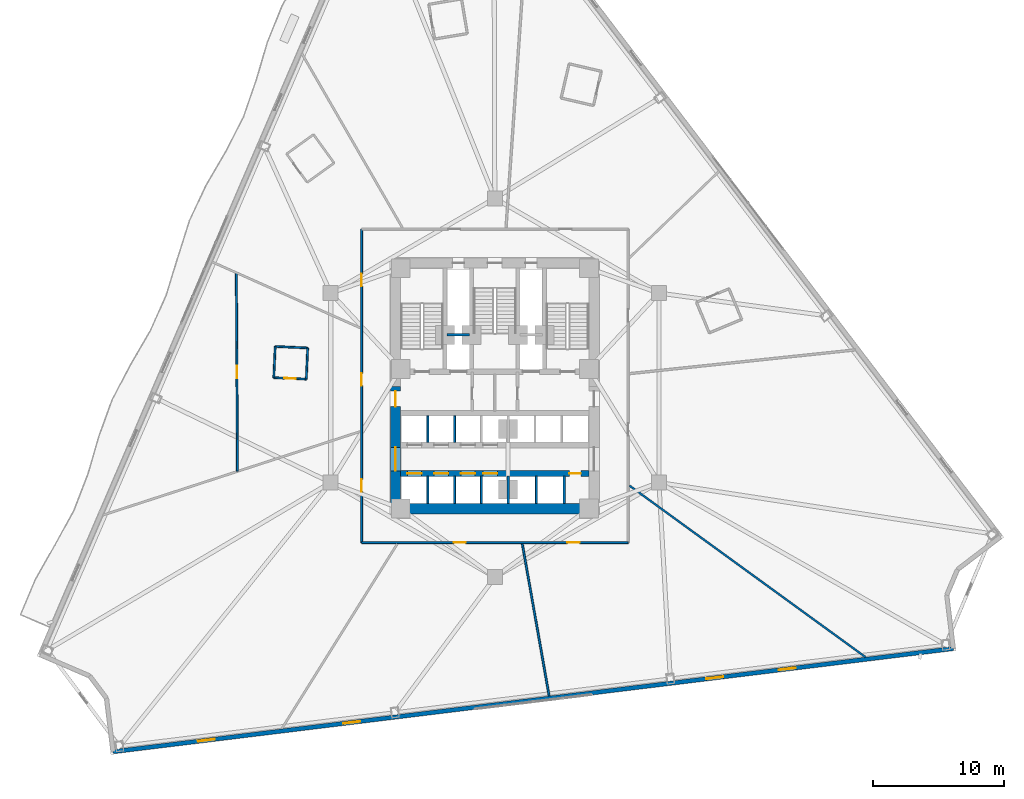
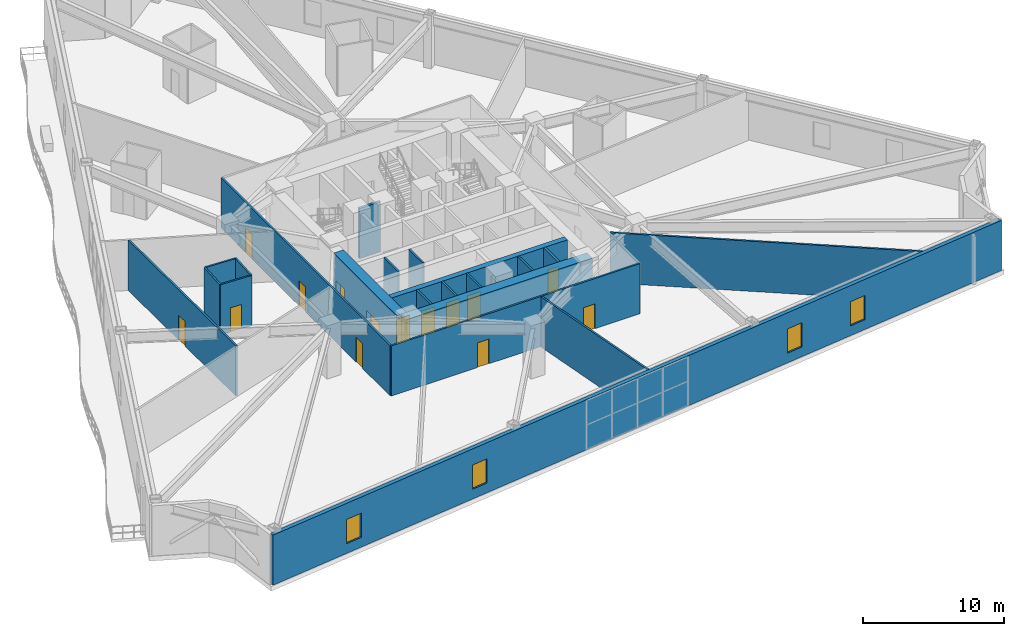
# One storey, part 12 of 21: 22 walls, 14 doors, 4 windows, 18 openings.
"""IFC4 building model written with IfcOpenShell, lengths in metres."""

from ifc_helpers import new_model, si_unit, direction, frame, frame_2d, origin, place, context, subcontext, project, spatial, rectangle, extrude, material, layer, layer_set, type_object, element, fill, save


model = new_model("IFC4")

# Units and contexts
model_context = context("Model", 3, precision=1e-05, world=origin(), true_north=direction((0.0, 1.0)))
body_context = subcontext(model_context, "Body", "Model", "MODEL_VIEW")
ifc_project = project(units=[si_unit("LENGTHUNIT", "METRE"), si_unit("AREAUNIT", "SQUARE_METRE"), si_unit("VOLUMEUNIT", "CUBIC_METRE"), si_unit("PLANEANGLEUNIT", "RADIAN"), si_unit("MASSUNIT", "GRAM", prefix="KILO")], contexts=[model_context])

# Site, building, storey
site_placement = place(None, origin())
site = spatial("IfcSite", under=ifc_project, at=site_placement, CompositionType="ELEMENT")
building_placement = place(site_placement, origin())
building = spatial("IfcBuilding", under=site, at=building_placement, Name="Apsidion Concourse Tower", CompositionType="ELEMENT")
storey_placement = place(building_placement, frame((0.0, 0.0, 62.39990234375)))
storey = spatial("IfcBuildingStorey", under=building, at=storey_placement, Name="L13", CompositionType="ELEMENT", Elevation=62.39990234375)

# Wall, openings, windows
ifc_material_1 = material(Name="Precast concrete C40/50", Category="concrete")
ifc_layer_1 = layer(ifc_material_1, 0.320068359375)
ifc_layer_set_1 = layer_set([ifc_layer_1], Name="Precast concrete C40/50")
wall_type_1 = type_object("IfcWallType", Name="WL-EXT-320", PredefinedType="STANDARD", material=ifc_layer_set_1)
wall_1_placement = place(storey_placement, frame((35.0908203125, -19.961181640625, 0.0), z_axis=(0.0, 0.0, 1.0), x_axis=(-0.992546286146, -0.121868247946, 0.0)))
wall_1 = element("IfcWall", 1, at=wall_1_placement, inside=storey, type_object=wall_type_1, Name="L13 Precast Stone Facade Wall 05", PredefinedType="STANDARD", context=body_context, shape_type="SweptSolid", body=[
    extrude(rectangle(XDim=64.793212890625, YDim=0.320068359375, at=frame_2d((32.396484375, 0.0))), origin(), (0.0, 0.0, 1.0), 4.35009765625),
])
opening_1_placement = place(wall_1_placement, frame((12.146728515625, 0.0, 0.85009765625)))
opening_1 = element("IfcOpeningElement", 2, at=opening_1_placement, cuts=wall_1, Name="Opening WN-03", PredefinedType="OPENING", context=body_context, shape_type="SweptSolid", body=[
    extrude(rectangle(XDim=1.300048828125, YDim=2.10009765625, at=frame_2d((0.64990234375, 1.050048828125))), frame((0.0, 0.169921875, 0.0), z_axis=(0.0, -1.0, 0.0), x_axis=(1.0, 0.0, 0.0)), (0.0, 0.0, 1.0), 0.340087890625),
])
opening_2_placement = place(wall_1_placement, frame((17.74658203125, 0.0, 0.85009765625)))
opening_2 = element("IfcOpeningElement", 3, at=opening_2_placement, cuts=wall_1, Name="Opening WN-03", PredefinedType="OPENING", context=body_context, shape_type="SweptSolid", body=[
    extrude(rectangle(XDim=1.300048828125, YDim=2.10009765625, at=frame_2d((0.64990234375, 1.050048828125))), frame((0.0, 0.169921875, 0.0), z_axis=(0.0, -1.0, 0.0), x_axis=(1.0, 0.0, 0.0)), (0.0, 0.0, 1.0), 0.340087890625),
])
opening_3_placement = place(wall_1_placement, frame((45.74658203125, 0.0, 0.85009765625)))
opening_3 = element("IfcOpeningElement", 4, at=opening_3_placement, cuts=wall_1, Name="Opening WN-03", PredefinedType="OPENING", context=body_context, shape_type="SweptSolid", body=[
    extrude(rectangle(XDim=1.300048828125, YDim=2.10009765625, at=frame_2d((0.64990234375, 1.050048828125))), frame((0.0, 0.169921875, 0.0), z_axis=(0.0, -1.0, 0.0), x_axis=(1.0, 0.0, 0.0)), (0.0, 0.0, 1.0), 0.340087890625),
])
opening_4_placement = place(wall_1_placement, frame((56.94677734375, 0.0, 0.85009765625)))
opening_4 = element("IfcOpeningElement", 5, at=opening_4_placement, cuts=wall_1, Name="Opening WN-03", PredefinedType="OPENING", context=body_context, shape_type="SweptSolid", body=[
    extrude(rectangle(XDim=1.300048828125, YDim=2.10009765625, at=frame_2d((0.64990234375, 1.050048828125))), frame((0.0, 0.169921875, 0.0), z_axis=(0.0, -1.0, 0.0), x_axis=(1.0, 0.0, 0.0)), (0.0, 0.0, 1.0), 0.340087890625),
])
ifc_material_2 = material(Name="Insulated laminated low-E glass", Category="glass")
window_type = type_object("IfcWindowType", Name="WN-HTL-1322", PartitioningType="SINGLE_PANEL", PredefinedType="WINDOW", material=ifc_material_2)
window_1_placement = place(opening_1_placement, origin())
window_1 = element("IfcWindow", 6, at=window_1_placement, inside=storey, type_object=window_type, Name="L13 Punched Facade Window 5-02", OverallHeight=2.10009765625, OverallWidth=1.300048828125, PartitioningType="SINGLE_PANEL", PredefinedType="WINDOW", context=body_context, shape_type="SweptSolid", body=[
    extrude(rectangle(XDim=1.300048828125, YDim=2.10009765625, at=frame_2d((0.64990234375, 1.050048828125))), frame((0.0, 0.030029296875, 0.0), z_axis=(0.0, -1.0, 0.0), x_axis=(1.0, 0.0, 0.0)), (0.0, 0.0, 1.0), 0.06005859375),
])
fill(opening_1, window_1)
window_2_placement = place(opening_2_placement, origin())
window_2 = element("IfcWindow", 7, at=window_2_placement, inside=storey, type_object=window_type, Name="L13 Punched Facade Window 5-03", OverallHeight=2.10009765625, OverallWidth=1.300048828125, PartitioningType="SINGLE_PANEL", PredefinedType="WINDOW", context=body_context, shape_type="SweptSolid", body=[
    extrude(rectangle(XDim=1.300048828125, YDim=2.10009765625, at=frame_2d((0.64990234375, 1.050048828125))), frame((0.0, 0.030029296875, 0.0), z_axis=(0.0, -1.0, 0.0), x_axis=(1.0, 0.0, 0.0)), (0.0, 0.0, 1.0), 0.06005859375),
])
fill(opening_2, window_2)
window_3_placement = place(opening_3_placement, origin())
window_3 = element("IfcWindow", 8, at=window_3_placement, inside=storey, type_object=window_type, Name="L13 Punched Facade Window 5-08", OverallHeight=2.10009765625, OverallWidth=1.300048828125, PartitioningType="SINGLE_PANEL", PredefinedType="WINDOW", context=body_context, shape_type="SweptSolid", body=[
    extrude(rectangle(XDim=1.300048828125, YDim=2.10009765625, at=frame_2d((0.64990234375, 1.050048828125))), frame((0.0, 0.030029296875, 0.0), z_axis=(0.0, -1.0, 0.0), x_axis=(1.0, 0.0, 0.0)), (0.0, 0.0, 1.0), 0.06005859375),
])
fill(opening_3, window_3)
window_4_placement = place(opening_4_placement, origin())
window_4 = element("IfcWindow", 9, at=window_4_placement, inside=storey, type_object=window_type, Name="L13 Punched Facade Window 5-10", OverallHeight=2.10009765625, OverallWidth=1.300048828125, PartitioningType="SINGLE_PANEL", PredefinedType="WINDOW", context=body_context, shape_type="SweptSolid", body=[
    extrude(rectangle(XDim=1.300048828125, YDim=2.10009765625, at=frame_2d((0.64990234375, 1.050048828125))), frame((0.0, 0.030029296875, 0.0), z_axis=(0.0, -1.0, 0.0), x_axis=(1.0, 0.0, 0.0)), (0.0, 0.0, 1.0), 0.06005859375),
])
fill(opening_4, window_4)

# Walls
ifc_material_3 = material(Name="Gypsum plasterboard partition")
ifc_layer_2 = layer(ifc_material_3, 0.139892578125)
ifc_layer_set_2 = layer_set([ifc_layer_2], Name="Gypsum plasterboard partition")
wall_type_2 = type_object("IfcWallType", Name="WL-INT-PAR-140", PredefinedType="PARTITIONING", material=ifc_layer_set_2)
wall_2_placement = place(storey_placement, frame((-14.322509765625, 3.048095703125, 0.0), z_axis=(0.0, 0.0, 1.0), x_axis=(-0.998968944515, 0.045398765343, 0.0)))
element("IfcWall", 10, at=wall_2_placement, inside=storey, type_object=wall_type_2, Name="L13 Interior Partition WL-L13-POD-HKAWC-S1", PredefinedType="PARTITIONING", context=body_context, shape_type="SweptSolid", body=[
    extrude(rectangle(XDim=2.489990234375, YDim=0.139892578125, at=frame_2d((1.2451171875, 0.0))), origin(), (0.0, 0.0, 1.0), 4.35009765625),
])
wall_3_placement = place(storey_placement, frame((-16.809814453125, 3.1611328125, 0.0), z_axis=(0.0, 0.0, 1.0), x_axis=(-0.045356688821, -0.998970855821, 0.0)))
element("IfcWall", 11, at=wall_3_placement, inside=storey, type_object=wall_type_2, Name="L13 Interior Partition WL-L13-POD-HKAWC-S2", PredefinedType="PARTITIONING", context=body_context, shape_type="SweptSolid", body=[
    extrude(rectangle(XDim=2.389892578125, YDim=0.139892578125, at=frame_2d((1.19482421875, 0.0))), origin(), (0.0, 0.0, 1.0), 4.35009765625),
])

# Wall, opening, door
wall_4_placement = place(storey_placement, frame((-16.918212890625, 0.773681640625, 0.0), z_axis=(0.0, 0.0, 1.0), x_axis=(0.998968944515, -0.045398765343, 0.0)))
wall_4 = element("IfcWall", 12, at=wall_4_placement, inside=storey, type_object=wall_type_2, Name="L13 Interior Partition WL-L13-POD-HKAWC-S3", PredefinedType="PARTITIONING", context=body_context, shape_type="SweptSolid", body=[
    extrude(rectangle(XDim=2.489990234375, YDim=0.139892578125, at=frame_2d((1.2451171875, 0.0))), origin(), (0.0, 0.0, 1.0), 4.35009765625),
])
opening_5_placement = place(wall_4_placement, frame((0.804931640625, 0.0, 0.0)))
opening_5 = element("IfcOpeningElement", 13, at=opening_5_placement, cuts=wall_4, Name="Opening D-03L", PredefinedType="OPENING", context=body_context, shape_type="SweptSolid", body=[
    extrude(rectangle(XDim=0.8798828125, YDim=2.10009765625, at=frame_2d((0.43994140625, 1.050048828125))), frame((0.0, 0.080078125, 0.0), z_axis=(0.0, -1.0, 0.0), x_axis=(1.0, 0.0, 0.0)), (0.0, 0.0, 1.0), 0.159912109375),
])
ifc_material_4 = material(Name="Anodised aluminium EN AW-6063 T6", Category="aluminium")
door_type_1 = type_object("IfcDoorType", Name="DR-INT-D03L", OperationType="SINGLE_SWING_LEFT", PredefinedType="DOOR", material=ifc_material_4)
door_1_placement = place(opening_5_placement, origin())
door_1 = element("IfcDoor", 14, at=door_1_placement, inside=storey, type_object=door_type_1, Name="L13 Hotel Accessible WC Door HKAWC", OperationType="SINGLE_SWING_LEFT", OverallHeight=2.10009765625, OverallWidth=0.8798828125, PredefinedType="DOOR", context=body_context, shape_type="SweptSolid", body=[
    extrude(rectangle(XDim=0.8798828125, YDim=2.10009765625, at=frame_2d((0.43994140625, 1.050048828125))), frame((0.0, 0.02490234375, 0.0), z_axis=(0.0, -1.0, 0.0), x_axis=(1.0, 0.0, 0.0)), (0.0, 0.0, 1.0), 0.050048828125),
])
fill(opening_5, door_1)

# Walls
wall_5_placement = place(storey_placement, frame((-14.430908203125, 0.66064453125, 0.0), z_axis=(0.0, 0.0, 1.0), x_axis=(0.045356688821, 0.998970855821, 0.0)))
element("IfcWall", 15, at=wall_5_placement, inside=storey, type_object=wall_type_2, Name="L13 Interior Partition WL-L13-POD-HKAWC-S4", PredefinedType="PARTITIONING", context=body_context, shape_type="SweptSolid", body=[
    extrude(rectangle(XDim=2.389892578125, YDim=0.139892578125, at=frame_2d((1.19482421875, 0.0))), origin(), (0.0, 0.0, 1.0), 4.35009765625),
])
ifc_layer_3 = layer(ifc_material_3, 0.14990234375)
ifc_layer_set_3 = layer_set([ifc_layer_3], Name="Gypsum plasterboard partition")
wall_type_3 = type_object("IfcWallType", Name="WL-INT-PAR-150", PredefinedType="PARTITIONING", material=ifc_layer_set_3)
for number, where, z_axis, x_axis, name in (
    (16, (-5.125, -4.179931640625, 0.0), (0.0, 0.0, 1.0), (0.0, 1.0, 0.0), "L13 Interior Partition WL-L13-B1DIV-1"),
    (17, (-3.074951171875, -4.179931640625, 0.0), (0.0, 0.0, 1.0), (0.0, 1.0, 0.0), "L13 Interior Partition WL-L13-B1DIV-2"),
):
    element("IfcWall", number, at=place(storey_placement, frame(where, z_axis=z_axis, x_axis=x_axis)), inside=storey, type_object=wall_type_3, Name=name, PredefinedType="PARTITIONING", context=body_context, shape_type="SweptSolid", body=[
        extrude(rectangle(XDim=2.030029296875, YDim=0.14990234375, at=frame_2d((1.01513671875, 0.0))), origin(), (0.0, 0.0, 1.0), 4.35009765625),
    ])
for number, where, z_axis, x_axis, name in (
    (18, (-5.125, -8.85009765625, 0.0), (0.0, 0.0, 1.0), (0.0, 1.0, 0.0), "L13 Interior Partition WL-L13-B2DIV-1"),
    (19, (-3.074951171875, -8.85009765625, 0.0), (0.0, 0.0, 1.0), (0.0, 1.0, 0.0), "L13 Interior Partition WL-L13-B2DIV-2"),
    (20, (-1.02490234375, -8.85009765625, 0.0), (0.0, 0.0, 1.0), (0.0, 1.0, 0.0), "L13 Interior Partition WL-L13-B2DIV-3"),
    (21, (3.175048828125, -8.85009765625, 0.0), (0.0, 0.0, 1.0), (0.0, 1.0, 0.0), "L13 Interior Partition WL-L13-SHDIV-1"),
):
    element("IfcWall", number, at=place(storey_placement, frame(where, z_axis=z_axis, x_axis=x_axis)), inside=storey, type_object=wall_type_3, Name=name, PredefinedType="PARTITIONING", context=body_context, shape_type="SweptSolid", body=[
        extrude(rectangle(XDim=2.080078125, YDim=0.14990234375, at=frame_2d((1.0400390625, 0.0))), origin(), (0.0, 0.0, 1.0), 4.35009765625),
    ])

# Wall, openings, doors
wall_6_placement = place(storey_placement, frame((10.199951171875, -11.85009765625, 0.0), z_axis=(0.0, 0.0, 1.0), x_axis=(-1.0, 0.0, 0.0)))
wall_6 = element("IfcWall", 22, at=wall_6_placement, inside=storey, type_object=wall_type_3, Name="L13 Interior Partition WL-L13-CORR-03", PredefinedType="PARTITIONING", context=body_context, shape_type="SweptSolid", body=[
    extrude(rectangle(XDim=20.39990234375, YDim=0.14990234375, at=frame_2d((10.199951171875, 0.0))), origin(), (0.0, 0.0, 1.0), 4.35009765625),
])
opening_6_placement = place(wall_6_placement, frame((12.405517578125, 0.0, 0.0)))
opening_6 = element("IfcOpeningElement", 23, at=opening_6_placement, cuts=wall_6, Name="Opening D-01L", PredefinedType="OPENING", context=body_context, shape_type="SweptSolid", body=[
    extrude(rectangle(XDim=0.949951171875, YDim=2.14990234375, at=frame_2d((0.47509765625, 1.074951171875))), frame((0.0, 0.0849609375, 0.0), z_axis=(0.0, -1.0, 0.0), x_axis=(1.0, 0.0, 0.0)), (0.0, 0.0, 1.0), 0.169921875),
])
opening_7_placement = place(wall_6_placement, frame((3.700927734375, 0.0, 0.0)))
opening_7 = element("IfcOpeningElement", 24, at=opening_7_placement, cuts=wall_6, Name="Opening D-01R", PredefinedType="OPENING", context=body_context, shape_type="SweptSolid", body=[
    extrude(rectangle(XDim=0.949951171875, YDim=2.14990234375, at=frame_2d((0.47509765625, 1.074951171875))), frame((0.0, 0.0849609375, 0.0), z_axis=(0.0, -1.0, 0.0), x_axis=(1.0, 0.0, 0.0)), (0.0, 0.0, 1.0), 0.169921875),
])
ifc_material_5 = material(Name="Brushed stainless steel 316", Category="steel")
door_type_2 = type_object("IfcDoorType", Name="DR-INT-D01L", OperationType="SINGLE_SWING_LEFT", PredefinedType="DOOR", material=ifc_material_5)
door_2_placement = place(opening_6_placement, origin())
door_2 = element("IfcDoor", 25, at=door_2_placement, inside=storey, type_object=door_type_2, Name="L13 Corridor Entry Door 03", OperationType="SINGLE_SWING_LEFT", OverallHeight=2.14990234375, OverallWidth=0.949951171875, PredefinedType="DOOR", context=body_context, shape_type="SweptSolid", body=[
    extrude(rectangle(XDim=0.949951171875, YDim=2.14990234375, at=frame_2d((0.47509765625, 1.074951171875))), frame((0.0, 0.02490234375, 0.0), z_axis=(0.0, -1.0, 0.0), x_axis=(1.0, 0.0, 0.0)), (0.0, 0.0, 1.0), 0.050048828125),
])
fill(opening_6, door_2)
door_type_3 = type_object("IfcDoorType", Name="DR-INT-D01R", OperationType="SINGLE_SWING_RIGHT", PredefinedType="DOOR", material=ifc_material_5)
door_3_placement = place(opening_7_placement, origin())
door_3 = element("IfcDoor", 26, at=door_3_placement, inside=storey, type_object=door_type_3, Name="L13 Corridor Entry Door 04", OperationType="SINGLE_SWING_RIGHT", OverallHeight=2.14990234375, OverallWidth=0.949951171875, PredefinedType="DOOR", context=body_context, shape_type="SweptSolid", body=[
    extrude(rectangle(XDim=0.949951171875, YDim=2.14990234375, at=frame_2d((0.47509765625, 1.074951171875))), frame((0.0, 0.02490234375, 0.0), z_axis=(0.0, -1.0, 0.0), x_axis=(1.0, 0.0, 0.0)), (0.0, 0.0, 1.0), 0.050048828125),
])
fill(opening_7, door_3)

wall_7_placement = place(storey_placement, frame((-10.199951171875, -11.85009765625, 0.0), z_axis=(0.0, 0.0, 1.0), x_axis=(0.0, 1.0, 0.0)))
wall_7 = element("IfcWall", 27, at=wall_7_placement, inside=storey, type_object=wall_type_3, Name="L13 Interior Partition WL-L13-CORR-04", PredefinedType="PARTITIONING", context=body_context, shape_type="SweptSolid", body=[
    extrude(rectangle(XDim=24.0, YDim=0.14990234375, at=frame_2d((12.0, 0.0))), origin(), (0.0, 0.0, 1.0), 4.35009765625),
])
opening_8_placement = place(wall_7_placement, frame((11.995361328125, 0.0, 0.0)))
opening_8 = element("IfcOpeningElement", 28, at=opening_8_placement, cuts=wall_7, Name="Opening D-01L", PredefinedType="OPENING", context=body_context, shape_type="SweptSolid", body=[
    extrude(rectangle(XDim=0.949951171875, YDim=2.14990234375, at=frame_2d((0.47509765625, 1.074951171875))), frame((0.0, 0.0849609375, 0.0), z_axis=(0.0, -1.0, 0.0), x_axis=(1.0, 0.0, 0.0)), (0.0, 0.0, 1.0), 0.169921875),
])
opening_9_placement = place(wall_7_placement, frame((3.905029296875, 0.0, 0.0)))
opening_9 = element("IfcOpeningElement", 29, at=opening_9_placement, cuts=wall_7, Name="Opening D-01R", PredefinedType="OPENING", context=body_context, shape_type="SweptSolid", body=[
    extrude(rectangle(XDim=0.949951171875, YDim=2.14990234375, at=frame_2d((0.47509765625, 1.074951171875))), frame((0.0, 0.0849609375, 0.0), z_axis=(0.0, -1.0, 0.0), x_axis=(1.0, 0.0, 0.0)), (0.0, 0.0, 1.0), 0.169921875),
])
opening_10_placement = place(wall_7_placement, frame((19.615478515625, 0.0, 0.0)))
opening_10 = element("IfcOpeningElement", 30, at=opening_10_placement, cuts=wall_7, Name="Opening D-01L", PredefinedType="OPENING", context=body_context, shape_type="SweptSolid", body=[
    extrude(rectangle(XDim=0.949951171875, YDim=2.14990234375, at=frame_2d((0.47509765625, 1.074951171875))), frame((0.0, 0.0849609375, 0.0), z_axis=(0.0, -1.0, 0.0), x_axis=(1.0, 0.0, 0.0)), (0.0, 0.0, 1.0), 0.169921875),
])
door_4_placement = place(opening_8_placement, origin())
door_4 = element("IfcDoor", 31, at=door_4_placement, inside=storey, type_object=door_type_2, Name="L13 Corridor Entry Door 01", OperationType="SINGLE_SWING_LEFT", OverallHeight=2.14990234375, OverallWidth=0.949951171875, PredefinedType="DOOR", context=body_context, shape_type="SweptSolid", body=[
    extrude(rectangle(XDim=0.949951171875, YDim=2.14990234375, at=frame_2d((0.47509765625, 1.074951171875))), frame((0.0, 0.02490234375, 0.0), z_axis=(0.0, -1.0, 0.0), x_axis=(1.0, 0.0, 0.0)), (0.0, 0.0, 1.0), 0.050048828125),
])
fill(opening_8, door_4)
door_5_placement = place(opening_10_placement, origin())
door_5 = element("IfcDoor", 32, at=door_5_placement, inside=storey, type_object=door_type_2, Name="L13 Corridor Entry Door 09", OperationType="SINGLE_SWING_LEFT", OverallHeight=2.14990234375, OverallWidth=0.949951171875, PredefinedType="DOOR", context=body_context, shape_type="SweptSolid", body=[
    extrude(rectangle(XDim=0.949951171875, YDim=2.14990234375, at=frame_2d((0.47509765625, 1.074951171875))), frame((0.0, 0.02490234375, 0.0), z_axis=(0.0, -1.0, 0.0), x_axis=(1.0, 0.0, 0.0)), (0.0, 0.0, 1.0), 0.050048828125),
])
fill(opening_10, door_5)
door_6_placement = place(opening_9_placement, origin())
door_6 = element("IfcDoor", 33, at=door_6_placement, inside=storey, type_object=door_type_3, Name="L13 Corridor Entry Door 02", OperationType="SINGLE_SWING_RIGHT", OverallHeight=2.14990234375, OverallWidth=0.949951171875, PredefinedType="DOOR", context=body_context, shape_type="SweptSolid", body=[
    extrude(rectangle(XDim=0.949951171875, YDim=2.14990234375, at=frame_2d((0.47509765625, 1.074951171875))), frame((0.0, 0.02490234375, 0.0), z_axis=(0.0, -1.0, 0.0), x_axis=(1.0, 0.0, 0.0)), (0.0, 0.0, 1.0), 0.050048828125),
])
fill(opening_9, door_6)

# Walls
wall_8_placement = place(storey_placement, frame((2.10791015625, -11.955078125, 0.0), z_axis=(0.0, 0.0, 1.0), x_axis=(0.173649679507, -0.984807488196, 0.0)))
element("IfcWall", 34, at=wall_8_placement, inside=storey, type_object=wall_type_3, Name="L13 Interior Partition WL-L13-RAD-08-1", PredefinedType="PARTITIONING", context=body_context, shape_type="SweptSolid", body=[
    extrude(rectangle(XDim=11.80712890625, YDim=0.14990234375, at=frame_2d((5.903564453125, 0.0))), origin(), (0.0, 0.0, 1.0), 4.35009765625),
])
wall_9_placement = place(storey_placement, frame((10.304931640625, -7.487060546875, 0.0), z_axis=(0.0, 0.0, 1.0), x_axis=(0.809018288795, -0.587783470671, 0.0)))
element("IfcWall", 35, at=wall_9_placement, inside=storey, type_object=wall_type_3, Name="L13 Interior Partition WL-L13-RAD-09-1", PredefinedType="PARTITIONING", context=body_context, shape_type="SweptSolid", body=[
    extrude(rectangle(XDim=22.32666015625, YDim=0.14990234375, at=frame_2d((11.163330078125, 0.0))), origin(), (0.0, 0.0, 1.0), 4.35009765625),
])

# Wall, opening, door
wall_10_placement = place(storey_placement, frame((-19.78369140625, 8.781005859375, 0.0), z_axis=(0.0, 0.0, 1.0), x_axis=(0.005476810205, -0.999985002163, 0.0)))
wall_10 = element("IfcWall", 36, at=wall_10_placement, inside=storey, type_object=wall_type_3, Name="L13 Interior Partition WL-L13-CHD-HKWC", PredefinedType="PARTITIONING", context=body_context, shape_type="SweptSolid", body=[
    extrude(rectangle(XDim=15.15625, YDim=0.14990234375, at=frame_2d((7.578125, 0.0))), origin(), (0.0, 0.0, 1.0), 4.35009765625),
])
opening_11_placement = place(wall_10_placement, frame((7.10302734375, 0.0, 0.0)))
opening_11 = element("IfcOpeningElement", 37, at=opening_11_placement, cuts=wall_10, Name="Opening D-04R", PredefinedType="OPENING", context=body_context, shape_type="SweptSolid", body=[
    extrude(rectangle(XDim=0.949951171875, YDim=2.14990234375, at=frame_2d((0.47509765625, 1.074951171875))), frame((0.0, 0.0849609375, 0.0), z_axis=(0.0, -1.0, 0.0), x_axis=(1.0, 0.0, 0.0)), (0.0, 0.0, 1.0), 0.169921875),
])
door_type_4 = type_object("IfcDoorType", Name="DR-INT-D04R", OperationType="SINGLE_SWING_RIGHT", PredefinedType="DOOR", material=ifc_material_5)
door_7_placement = place(opening_11_placement, origin())
door_7 = element("IfcDoor", 38, at=door_7_placement, inside=storey, type_object=door_type_4, Name="L13 Suite Connecting Door HKWC", OperationType="SINGLE_SWING_RIGHT", OverallHeight=2.14990234375, OverallWidth=0.949951171875, PredefinedType="DOOR", context=body_context, shape_type="SweptSolid", body=[
    extrude(rectangle(XDim=0.949951171875, YDim=2.14990234375, at=frame_2d((0.47509765625, 1.074951171875))), frame((0.0, 0.02490234375, 0.0), z_axis=(0.0, -1.0, 0.0), x_axis=(1.0, 0.0, 0.0)), (0.0, 0.0, 1.0), 0.050048828125),
])
fill(opening_11, door_7)

# Walls
ifc_layer_4 = layer(ifc_material_3, 0.179931640625)
ifc_layer_set_4 = layer_set([ifc_layer_4], Name="Gypsum plasterboard partition")
wall_type_4 = type_object("IfcWallType", Name="WL-INT-PAR-180", PredefinedType="PARTITIONING", material=ifc_layer_set_4)
wall_11_placement = place(storey_placement, frame((1.02490234375, -8.85009765625, 0.0), z_axis=(0.0, 0.0, 1.0), x_axis=(0.0, 1.0, 0.0)))
element("IfcWall", 39, at=wall_11_placement, inside=storey, type_object=wall_type_4, Name="L13 Interior Partition WL-L13-B2END", PredefinedType="PARTITIONING", context=body_context, shape_type="SweptSolid", body=[
    extrude(rectangle(XDim=2.080078125, YDim=0.179931640625, at=frame_2d((1.0400390625, 0.0))), origin(), (0.0, 0.0, 1.0), 3.398193359375),
])
wall_12_placement = place(storey_placement, frame((5.324951171875, -8.85009765625, 0.0), z_axis=(0.0, 0.0, 1.0), x_axis=(0.0, 1.0, 0.0)))
element("IfcWall", 40, at=wall_12_placement, inside=storey, type_object=wall_type_4, Name="L13 Interior Partition WL-L13-SHDIV-2", PredefinedType="PARTITIONING", context=body_context, shape_type="SweptSolid", body=[
    extrude(rectangle(XDim=2.080078125, YDim=0.179931640625, at=frame_2d((1.0400390625, 0.0))), origin(), (0.0, 0.0, 1.0), 4.35009765625),
])
ifc_layer_5 = layer(ifc_material_3, 0.199951171875)
ifc_layer_set_5 = layer_set([ifc_layer_5], Name="Gypsum plasterboard partition")
wall_type_5 = type_object("IfcWallType", Name="WL-INT-PAR-200", PredefinedType="PARTITIONING", material=ifc_layer_set_5)
wall_13_placement = place(storey_placement, frame((-3.64990234375, 4.050048828125, 0.0), z_axis=(0.0, 0.0, 1.0), x_axis=(1.0, 0.0, 0.0)))
element("IfcWall", 41, at=wall_13_placement, inside=storey, type_object=wall_type_5, Name="L13 Interior Partition WL-L13-FF1-N", PredefinedType="PARTITIONING", context=body_context, shape_type="SweptSolid", body=[
    extrude(rectangle(XDim=1.72998046875, YDim=0.199951171875, at=frame_2d((0.864990234375, 0.0))), origin(), (0.0, 0.0, 1.0), 4.35009765625),
])

# Wall, openings, doors
ifc_material_6 = material(Name="Concrete C60/75", Category="concrete")
ifc_layer_6 = layer(ifc_material_6, 0.449951171875)
ifc_layer_set_6 = layer_set([ifc_layer_6], Name="Concrete C60/75")
wall_type_6 = type_object("IfcWallType", Name="WL-SH-450", PredefinedType="SHEAR", material=ifc_layer_set_6)
wall_14_placement = place(storey_placement, frame((-7.199951171875, -6.570068359375, 0.0), z_axis=(0.0, 0.0, 1.0), x_axis=(1.0, 0.0, 0.0)))
wall_14 = element("IfcWall", 42, at=wall_14_placement, inside=storey, type_object=wall_type_6, Name="L13 Central Core Shear Wall LB", PredefinedType="SHEAR", context=body_context, shape_type="SweptSolid", body=[
    extrude(rectangle(XDim=14.39990234375, YDim=0.449951171875, at=frame_2d((7.199951171875, 0.0))), origin(), (0.0, 0.0, 1.0), 4.35009765625),
])
opening_12_placement = place(wall_14_placement, frame((0.5, 0.0, 0.0)))
opening_12 = element("IfcOpeningElement", 43, at=opening_12_placement, cuts=wall_14, Name="Opening LD-P1", PredefinedType="OPENING", context=body_context, shape_type="SweptSolid", body=[
    extrude(rectangle(XDim=1.10009765625, YDim=2.199951171875, at=frame_2d((0.550048828125, 1.10009765625))), frame((0.0, 0.23486328125, 0.0), z_axis=(0.0, -1.0, 0.0), x_axis=(1.0, 0.0, 0.0)), (0.0, 0.0, 1.0), 0.469970703125),
])
opening_13_placement = place(wall_14_placement, frame((2.550048828125, 0.0, 0.0)))
opening_13 = element("IfcOpeningElement", 44, at=opening_13_placement, cuts=wall_14, Name="Opening LD-P1", PredefinedType="OPENING", context=body_context, shape_type="SweptSolid", body=[
    extrude(rectangle(XDim=1.10009765625, YDim=2.199951171875, at=frame_2d((0.550048828125, 1.10009765625))), frame((0.0, 0.23486328125, 0.0), z_axis=(0.0, -1.0, 0.0), x_axis=(1.0, 0.0, 0.0)), (0.0, 0.0, 1.0), 0.469970703125),
])
opening_14_placement = place(wall_14_placement, frame((4.60009765625, 0.0, 0.0)))
opening_14 = element("IfcOpeningElement", 45, at=opening_14_placement, cuts=wall_14, Name="Opening LD-P1", PredefinedType="OPENING", context=body_context, shape_type="SweptSolid", body=[
    extrude(rectangle(XDim=1.10009765625, YDim=2.199951171875, at=frame_2d((0.550048828125, 1.10009765625))), frame((0.0, 0.23486328125, 0.0), z_axis=(0.0, -1.0, 0.0), x_axis=(1.0, 0.0, 0.0)), (0.0, 0.0, 1.0), 0.469970703125),
])
opening_15_placement = place(wall_14_placement, frame((6.300048828125, 0.0, 0.0)))
opening_15 = element("IfcOpeningElement", 46, at=opening_15_placement, cuts=wall_14, Name="Opening LD-P1", PredefinedType="OPENING", context=body_context, shape_type="SweptSolid", body=[
    extrude(rectangle(XDim=1.10009765625, YDim=2.199951171875, at=frame_2d((0.550048828125, 1.10009765625))), frame((0.0, 0.23486328125, 0.0), z_axis=(0.0, -1.0, 0.0), x_axis=(1.0, 0.0, 0.0)), (0.0, 0.0, 1.0), 0.469970703125),
])
opening_16_placement = place(wall_14_placement, frame((12.909912109375, 0.0, 0.0)))
opening_16 = element("IfcOpeningElement", 47, at=opening_16_placement, cuts=wall_14, Name="Opening D-05L", PredefinedType="OPENING", context=body_context, shape_type="SweptSolid", body=[
    extrude(rectangle(XDim=0.8798828125, YDim=2.14990234375, at=frame_2d((0.43994140625, 1.074951171875))), frame((0.0, 0.23486328125, 0.0), z_axis=(0.0, -1.0, 0.0), x_axis=(1.0, 0.0, 0.0)), (0.0, 0.0, 1.0), 0.469970703125),
])
door_type_5 = type_object("IfcDoorType", Name="DR-INT-D05L", OperationType="SINGLE_SWING_LEFT", PredefinedType="DOOR", material=ifc_material_5)
door_8_placement = place(opening_16_placement, origin())
door_8 = element("IfcDoor", 48, at=door_8_placement, inside=storey, type_object=door_type_5, Name="L13 Cleaners Store Door", OperationType="SINGLE_SWING_LEFT", OverallHeight=2.14990234375, OverallWidth=0.8798828125, PredefinedType="DOOR", context=body_context, shape_type="SweptSolid", body=[
    extrude(rectangle(XDim=0.8798828125, YDim=2.14990234375, at=frame_2d((0.43994140625, 1.074951171875))), frame((0.0, 0.02490234375, 0.0), z_axis=(0.0, -1.0, 0.0), x_axis=(1.0, 0.0, 0.0)), (0.0, 0.0, 1.0), 0.050048828125),
])
fill(opening_16, door_8)
door_type_6 = type_object("IfcDoorType", Name="DR-LD-PASS", OperationType="DOUBLE_DOOR_SLIDING", PredefinedType="DOOR", material=ifc_material_5)
door_9_placement = place(opening_12_placement, origin())
door_9 = element("IfcDoor", 49, at=door_9_placement, inside=storey, type_object=door_type_6, Name="L13 Lift Landing Door P5", OperationType="DOUBLE_DOOR_SLIDING", OverallHeight=2.199951171875, OverallWidth=1.10009765625, PredefinedType="DOOR", context=body_context, shape_type="SweptSolid", body=[
    extrude(rectangle(XDim=1.10009765625, YDim=2.199951171875, at=frame_2d((0.550048828125, 1.10009765625))), frame((0.0, 0.02490234375, 0.0), z_axis=(0.0, -1.0, 0.0), x_axis=(1.0, 0.0, 0.0)), (0.0, 0.0, 1.0), 0.050048828125),
])
fill(opening_12, door_9)
door_10_placement = place(opening_13_placement, origin())
door_10 = element("IfcDoor", 50, at=door_10_placement, inside=storey, type_object=door_type_6, Name="L13 Lift Landing Door P6", OperationType="DOUBLE_DOOR_SLIDING", OverallHeight=2.199951171875, OverallWidth=1.10009765625, PredefinedType="DOOR", context=body_context, shape_type="SweptSolid", body=[
    extrude(rectangle(XDim=1.10009765625, YDim=2.199951171875, at=frame_2d((0.550048828125, 1.10009765625))), frame((0.0, 0.02490234375, 0.0), z_axis=(0.0, -1.0, 0.0), x_axis=(1.0, 0.0, 0.0)), (0.0, 0.0, 1.0), 0.050048828125),
])
fill(opening_13, door_10)
door_11_placement = place(opening_14_placement, origin())
door_11 = element("IfcDoor", 51, at=door_11_placement, inside=storey, type_object=door_type_6, Name="L13 Lift Landing Door P7", OperationType="DOUBLE_DOOR_SLIDING", OverallHeight=2.199951171875, OverallWidth=1.10009765625, PredefinedType="DOOR", context=body_context, shape_type="SweptSolid", body=[
    extrude(rectangle(XDim=1.10009765625, YDim=2.199951171875, at=frame_2d((0.550048828125, 1.10009765625))), frame((0.0, 0.02490234375, 0.0), z_axis=(0.0, -1.0, 0.0), x_axis=(1.0, 0.0, 0.0)), (0.0, 0.0, 1.0), 0.050048828125),
])
fill(opening_14, door_11)
door_12_placement = place(opening_15_placement, origin())
door_12 = element("IfcDoor", 52, at=door_12_placement, inside=storey, type_object=door_type_6, Name="L13 Lift Landing Door P8", OperationType="DOUBLE_DOOR_SLIDING", OverallHeight=2.199951171875, OverallWidth=1.10009765625, PredefinedType="DOOR", context=body_context, shape_type="SweptSolid", body=[
    extrude(rectangle(XDim=1.10009765625, YDim=2.199951171875, at=frame_2d((0.550048828125, 1.10009765625))), frame((0.0, 0.02490234375, 0.0), z_axis=(0.0, -1.0, 0.0), x_axis=(1.0, 0.0, 0.0)), (0.0, 0.0, 1.0), 0.050048828125),
])
fill(opening_15, door_12)

ifc_layer_7 = layer(ifc_material_6, 0.800048828125)
ifc_layer_set_7 = layer_set([ifc_layer_7], Name="Concrete C60/75")
wall_type_7 = type_object("IfcWallType", Name="WL-SH-800", PredefinedType="SHEAR", material=ifc_layer_set_7)
wall_15_placement = place(storey_placement, frame((-7.60009765625, -8.85009765625, 0.0), z_axis=(0.0, 0.0, 1.0), x_axis=(0.0, 1.0, 0.0)))
wall_15 = element("IfcWall", 53, at=wall_15_placement, inside=storey, type_object=wall_type_7, Name="L13 Central Core Shear Wall WS", PredefinedType="SHEAR", context=body_context, shape_type="SweptSolid", body=[
    extrude(rectangle(XDim=8.9501953125, YDim=0.800048828125, at=frame_2d((4.47509765625, 0.0))), origin(), (0.0, 0.0, 1.0), 4.35009765625),
])
opening_17_placement = place(wall_15_placement, frame((2.489990234375, 0.0, 0.0)))
opening_17 = element("IfcOpeningElement", 54, at=opening_17_placement, cuts=wall_15, Name="Opening D-06D", PredefinedType="OPENING", context=body_context, shape_type="SweptSolid", body=[
    extrude(rectangle(XDim=1.800048828125, YDim=2.199951171875, at=frame_2d((0.89990234375, 1.10009765625))), frame((0.0, 0.41015625, 0.0), z_axis=(0.0, -1.0, 0.0), x_axis=(1.0, 0.0, 0.0)), (0.0, 0.0, 1.0), 0.820068359375),
])
opening_18_placement = place(wall_15_placement, frame((7.39990234375, 0.0, 0.0)))
opening_18 = element("IfcOpeningElement", 55, at=opening_18_placement, cuts=wall_15, Name="Opening D-FFL", PredefinedType="OPENING", context=body_context, shape_type="SweptSolid", body=[
    extrude(rectangle(XDim=1.199951171875, YDim=2.14990234375, at=frame_2d((0.60009765625, 1.074951171875))), frame((0.0, 0.41015625, 0.0), z_axis=(0.0, -1.0, 0.0), x_axis=(1.0, 0.0, 0.0)), (0.0, 0.0, 1.0), 0.820068359375),
])
door_type_7 = type_object("IfcDoorType", Name="DR-INT-D06D", OperationType="DOUBLE_DOOR_SINGLE_SWING", PredefinedType="DOOR", material=ifc_material_5)
door_13_placement = place(opening_17_placement, origin())
door_13 = element("IfcDoor", 56, at=door_13_placement, inside=storey, type_object=door_type_7, Name="L13 Passenger Lift Lobby WS Portal Door", OperationType="DOUBLE_DOOR_SINGLE_SWING", OverallHeight=2.199951171875, OverallWidth=1.800048828125, PredefinedType="DOOR", context=body_context, shape_type="SweptSolid", body=[
    extrude(rectangle(XDim=1.800048828125, YDim=2.199951171875, at=frame_2d((0.89990234375, 1.10009765625))), frame((0.0, 0.02490234375, 0.0), z_axis=(0.0, -1.0, 0.0), x_axis=(1.0, 0.0, 0.0)), (0.0, 0.0, 1.0), 0.050048828125),
])
fill(opening_17, door_13)
door_type_8 = type_object("IfcDoorType", Name="DR-INT-FFL", OperationType="SINGLE_SWING_LEFT", PredefinedType="DOOR", material=ifc_material_5)
door_14_placement = place(opening_18_placement, origin())
door_14 = element("IfcDoor", 57, at=door_14_placement, inside=storey, type_object=door_type_8, Name="L13 Firefighting Lift Lobby FF1 Door", OperationType="SINGLE_SWING_LEFT", OverallHeight=2.14990234375, OverallWidth=1.199951171875, PredefinedType="DOOR", context=body_context, shape_type="SweptSolid", body=[
    extrude(rectangle(XDim=1.199951171875, YDim=2.14990234375, at=frame_2d((0.60009765625, 1.074951171875))), frame((0.0, 0.02490234375, 0.0), z_axis=(0.0, -1.0, 0.0), x_axis=(1.0, 0.0, 0.0)), (0.0, 0.0, 1.0), 0.050048828125),
])
fill(opening_18, door_14)

# Wall
wall_16_placement = place(storey_placement, frame((-7.60009765625, -9.25, 0.0), z_axis=(0.0, 0.0, 1.0), x_axis=(1.0, 0.0, 0.0)))
element("IfcWall", 58, at=wall_16_placement, inside=storey, type_object=wall_type_7, Name="L13 Central Core Shear Wall S", PredefinedType="SHEAR", context=body_context, shape_type="SweptSolid", body=[
    extrude(rectangle(XDim=15.2001953125, YDim=0.800048828125, at=frame_2d((7.60009765625, 0.0))), origin(), (0.0, 0.0, 1.0), 4.35009765625),
])

save(model, "model.ifc")
